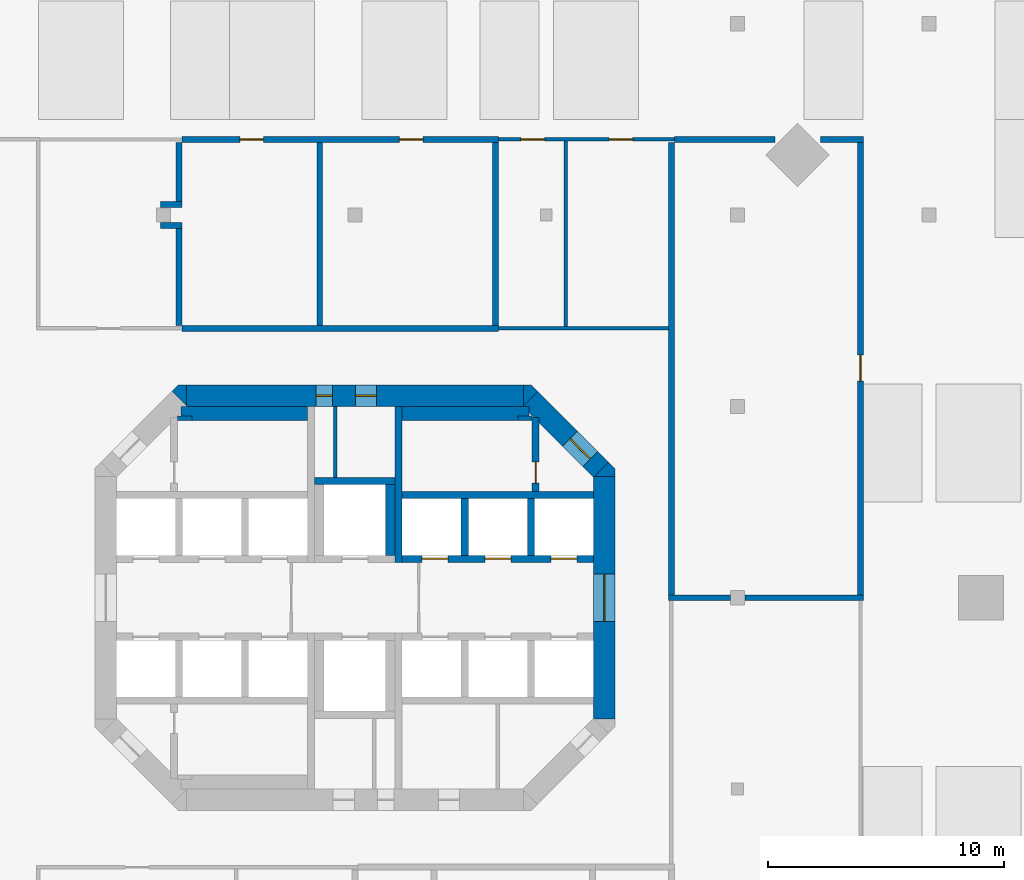
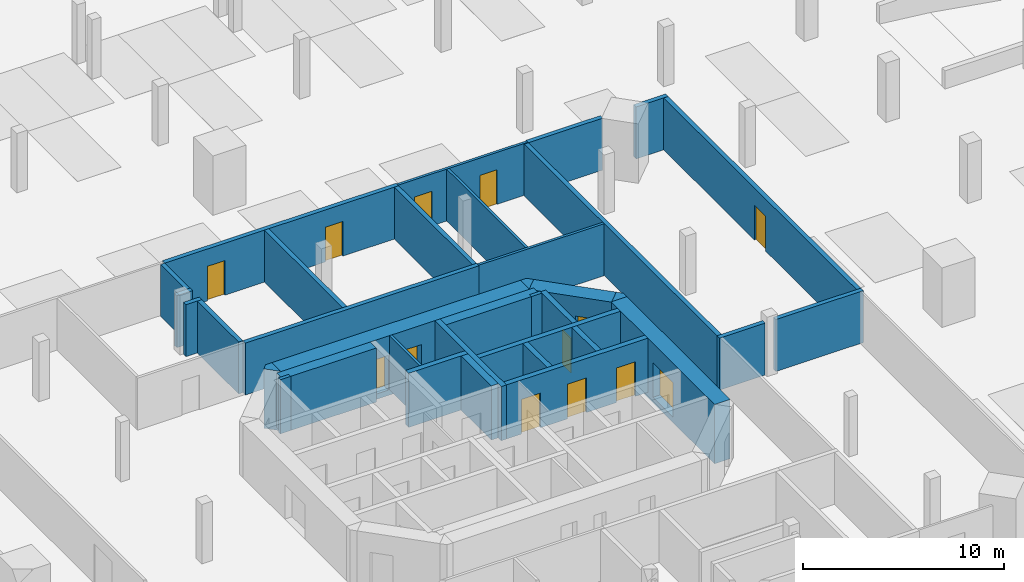
# One storey, part 9 of 14: 36 walls, 13 doors, 13 openings.
"""IFC4 building model written with IfcOpenShell, lengths in metres."""

from ifc_helpers import new_model, si_unit, direction, frame, frame_2d, origin, place, context, subcontext, project, spatial, polyline, rectangle, outline, extrude, material, layer, layer_set, type_object, element, fill, save


model = new_model("IFC4")

# Units and contexts
model_context = context("Model", 3, precision=1e-05, world=origin(), true_north=direction((0.0, 1.0)))
body_context = subcontext(model_context, "Body", "Model", "MODEL_VIEW")
ifc_project = project(units=[si_unit("LENGTHUNIT", "METRE"), si_unit("AREAUNIT", "SQUARE_METRE"), si_unit("VOLUMEUNIT", "CUBIC_METRE"), si_unit("PLANEANGLEUNIT", "RADIAN"), si_unit("MASSUNIT", "GRAM", prefix="KILO")], contexts=[model_context])

# Site, building, storey
site_placement = place(None, origin())
site = spatial("IfcSite", under=ifc_project, at=site_placement, CompositionType="ELEMENT")
building_placement = place(site_placement, origin())
building = spatial("IfcBuilding", under=site, at=building_placement, Name="Torre Triforio", CompositionType="ELEMENT")
storey_placement = place(building_placement, frame((0.0, 0.0, -3.60009765625)))
storey = spatial("IfcBuildingStorey", under=building, at=storey_placement, Name="B1", CompositionType="ELEMENT", Elevation=-3.60009765625)

# Wall
ifc_material_1 = material(Name="Concrete C60", Category="concrete")
ifc_layer_1 = layer(ifc_material_1, 0.300048828125)
ifc_layer_set_1 = layer_set([ifc_layer_1], Name="Concrete C60")
wall_type_1 = type_object("IfcWallType", Name="Core wall 300 mm C60 EI 120", PredefinedType="SHEAR", material=ifc_layer_set_1)
wall_1_placement = place(storey_placement, frame((1.85009765625, 1.5, 0.0), z_axis=(0.0, 0.0, 1.0), x_axis=(0.0, 1.0, 0.0)))
element("IfcWall", 1, at=wall_1_placement, inside=storey, type_object=wall_type_1, Name="Core wall", PredefinedType="SHEAR", context=body_context, shape_type="SweptSolid", body=[
    extrude(rectangle(XDim=6.60009765625, YDim=0.300048828125, at=frame_2d((3.300048828125, 0.0))), origin(), (0.0, 0.0, 1.0), 3.280029296875),
])

# Wall, openings, doors
ifc_layer_2 = layer(ifc_material_1, 0.89990234375)
ifc_layer_set_2 = layer_set([ifc_layer_2], Name="Concrete C60")
wall_type_2 = type_object("IfcWallType", Name="Core wall 900 mm C60 EI 120", PredefinedType="SHEAR", material=ifc_layer_set_2)
wall_2_placement = place(storey_placement, frame((-7.1298828125, 8.550048828125, -0.31982421875), z_axis=(0.0, 0.0, 1.0), x_axis=(1.0, 0.0, 0.0)))
wall_2 = element("IfcWall", 2, at=wall_2_placement, inside=storey, type_object=wall_type_2, Name="Core wall", PredefinedType="SHEAR", context=body_context, shape_type="SweptSolid", body=[
    extrude(rectangle(XDim=14.259765625, YDim=0.89990234375, at=frame_2d((7.1298828125, 0.0))), origin(), (0.0, 0.0, 1.0), 3.599853515625),
])
opening_1_placement = place(wall_2_placement, frame((5.47998046875, 0.0, 0.320068359375)))
opening_1 = element("IfcOpeningElement", 3, at=opening_1_placement, cuts=wall_2, Name="Opening RISER-N", PredefinedType="OPENING", context=body_context, shape_type="SweptSolid", body=[
    extrude(rectangle(XDim=0.699951171875, YDim=2.10009765625, at=frame_2d((0.35009765625, 1.050048828125))), frame((0.0, 0.4599609375, 0.0), z_axis=(0.0, -1.0, 0.0), x_axis=(1.0, 0.0, 0.0)), (0.0, 0.0, 1.0), 0.919921875),
])
opening_2_placement = place(wall_2_placement, frame((7.155029296875, 0.0, 0.320068359375)))
opening_2 = element("IfcOpeningElement", 4, at=opening_2_placement, cuts=wall_2, Name="Opening NE-01", PredefinedType="OPENING", context=body_context, shape_type="SweptSolid", body=[
    extrude(rectangle(XDim=0.89990234375, YDim=2.10009765625, at=frame_2d((0.449951171875, 1.050048828125))), frame((0.0, 0.4599609375, 0.0), z_axis=(0.0, -1.0, 0.0), x_axis=(1.0, 0.0, 0.0)), (0.0, 0.0, 1.0), 0.919921875),
])
ifc_material_2 = material(Name="Hollow metal fire door leaf")
door_type_1 = type_object("IfcDoorType", Name="Riser door 700 x 2100 EI 60", OperationType="NOTDEFINED", PredefinedType="DOOR", material=ifc_material_2)
door_1_placement = place(opening_1_placement, origin())
door_1 = element("IfcDoor", 5, at=door_1_placement, inside=storey, type_object=door_type_1, Name="Core door RISER-N", OperationType="SINGLE_SWING_LEFT", OverallHeight=2.10009765625, OverallWidth=0.699951171875, PredefinedType="DOOR", context=body_context, shape_type="SweptSolid", body=[
    extrude(rectangle(XDim=0.699951171875, YDim=2.10009765625, at=frame_2d((0.35009765625, 1.050048828125))), frame((0.0, 0.02490234375, 0.0), z_axis=(0.0, -1.0, 0.0), x_axis=(1.0, 0.0, 0.0)), (0.0, 0.0, 1.0), 0.050048828125),
])
fill(opening_1, door_1)
door_type_2 = type_object("IfcDoorType", Name="Room door 900 x 2100 EI 60", OperationType="NOTDEFINED", PredefinedType="DOOR", material=ifc_material_2)
door_2_placement = place(opening_2_placement, origin())
door_2 = element("IfcDoor", 6, at=door_2_placement, inside=storey, type_object=door_type_2, Name="Core door NE-01", OperationType="SINGLE_SWING_LEFT", OverallHeight=2.10009765625, OverallWidth=0.89990234375, PredefinedType="DOOR", context=body_context, shape_type="SweptSolid", body=[
    extrude(rectangle(XDim=0.89990234375, YDim=2.10009765625, at=frame_2d((0.449951171875, 1.050048828125))), frame((0.0, 0.02490234375, 0.0), z_axis=(0.0, -1.0, 0.0), x_axis=(1.0, 0.0, 0.0)), (0.0, 0.0, 1.0), 0.050048828125),
])
fill(opening_2, door_2)

# Wall, opening, door
wall_3_placement = place(storey_placement, frame((10.550048828125, -5.1298828125, -0.31982421875), z_axis=(0.0, 0.0, 1.0), x_axis=(0.0, 1.0, 0.0)))
wall_3 = element("IfcWall", 7, at=wall_3_placement, inside=storey, type_object=wall_type_2, Name="Core wall", PredefinedType="SHEAR", context=body_context, shape_type="SweptSolid", body=[
    extrude(rectangle(XDim=10.259765625, YDim=0.89990234375, at=frame_2d((5.1298828125, 0.0))), origin(), (0.0, 0.0, 1.0), 3.599853515625),
])
opening_3_placement = place(wall_3_placement, frame((4.1298828125, 0.0, 0.320068359375)))
opening_3 = element("IfcOpeningElement", 8, at=opening_3_placement, cuts=wall_3, Name="Opening E-RING", PredefinedType="OPENING", context=body_context, shape_type="SweptSolid", body=[
    extrude(rectangle(XDim=2.0, YDim=2.10009765625, at=frame_2d((1.0, 1.050048828125))), frame((0.0, 0.4599609375, 0.0), z_axis=(0.0, -1.0, 0.0), x_axis=(1.0, 0.0, 0.0)), (0.0, 0.0, 1.0), 0.919921875),
])
door_type_3 = type_object("IfcDoorType", Name="Lobby door 2000 x 2100 EI 60", OperationType="DOUBLE_DOOR_SINGLE_SWING", PredefinedType="DOOR", material=ifc_material_2)
door_3_placement = place(opening_3_placement, origin())
door_3 = element("IfcDoor", 9, at=door_3_placement, inside=storey, type_object=door_type_3, Name="Core door E-RING", OperationType="DOUBLE_DOOR_SINGLE_SWING", OverallHeight=2.10009765625, OverallWidth=2.0, PredefinedType="DOOR", context=body_context, shape_type="SweptSolid", body=[
    extrude(rectangle(XDim=2.0, YDim=2.10009765625, at=frame_2d((1.0, 1.050048828125))), frame((0.0, 0.02490234375, 0.0), z_axis=(0.0, -1.0, 0.0), x_axis=(1.0, 0.0, 0.0)), (0.0, 0.0, 1.0), 0.050048828125),
])
fill(opening_3, door_3)

wall_4_placement = place(storey_placement, frame((7.418212890625, 8.418212890625, -0.31982421875), z_axis=(0.0, 0.0, 1.0), x_axis=(0.707106781187, -0.707106781187, 0.0)))
wall_4 = element("IfcWall", 10, at=wall_4_placement, inside=storey, type_object=wall_type_2, Name="Core wall", PredefinedType="SHEAR", context=body_context, shape_type="SweptSolid", body=[
    extrude(rectangle(XDim=4.24267578125, YDim=0.89990234375, at=frame_2d((2.121337890625, 0.0))), origin(), (0.0, 0.0, 1.0), 3.599853515625),
])
opening_4_placement = place(wall_4_placement, frame((2.392578125, 0.0, 0.320068359375)))
opening_4 = element("IfcOpeningElement", 11, at=opening_4_placement, cuts=wall_4, Name="Opening ST2-EXIT", PredefinedType="OPENING", context=body_context, shape_type="SweptSolid", body=[
    extrude(rectangle(XDim=1.199951171875, YDim=2.10009765625, at=frame_2d((0.60009765625, 1.050048828125))), frame((0.0, 0.4599609375, 0.0), z_axis=(0.0, -1.0, 0.0), x_axis=(1.0, 0.0, 0.0)), (0.0, 0.0, 1.0), 0.919921875),
])
door_type_4 = type_object("IfcDoorType", Name="Stair lobby door 1200 x 2100 EI 60", OperationType="NOTDEFINED", PredefinedType="DOOR", material=ifc_material_2)
door_4_placement = place(opening_4_placement, origin())
door_4 = element("IfcDoor", 12, at=door_4_placement, inside=storey, type_object=door_type_4, Name="Core door ST2-EXIT", OperationType="SINGLE_SWING_LEFT", OverallHeight=2.10009765625, OverallWidth=1.199951171875, PredefinedType="DOOR", context=body_context, shape_type="SweptSolid", body=[
    extrude(rectangle(XDim=1.199951171875, YDim=2.10009765625, at=frame_2d((0.60009765625, 1.050048828125))), frame((0.0, 0.02490234375, 0.0), z_axis=(0.0, -1.0, 0.0), x_axis=(1.0, 0.0, 0.0)), (0.0, 0.0, 1.0), 0.050048828125),
])
fill(opening_4, door_4)

# Walls
wall_5_placement = place(storey_placement, frame((0.0, 0.0, -0.31982421875)))
element("IfcWall", 13, at=wall_5_placement, inside=storey, type_object=wall_type_2, Name="Core wall", PredefinedType="SHEAR", context=body_context, shape_type="SweptSolid", body=[
    extrude(outline(polyline([(11.0, 5.472900390625), (11.0, 5.1298828125), (10.1298828125, 5.1298828125), (10.736328125, 5.736328125), (11.0, 5.472900390625)])), origin(), (0.0, 0.0, 1.0), 3.599853515625),
])
wall_6_placement = place(storey_placement, frame((0.0, 0.0, -0.31982421875)))
element("IfcWall", 14, at=wall_6_placement, inside=storey, type_object=wall_type_2, Name="Core wall", PredefinedType="SHEAR", context=body_context, shape_type="SweptSolid", body=[
    extrude(outline(polyline([(-7.472900390625, 9.0), (-7.1298828125, 9.0), (-7.1298828125, 8.1298828125), (-7.736328125, 8.736328125), (-7.472900390625, 9.0)])), origin(), (0.0, 0.0, 1.0), 3.599853515625),
])
wall_7_placement = place(storey_placement, frame((0.0, 0.0, -0.31982421875)))
element("IfcWall", 15, at=wall_7_placement, inside=storey, type_object=wall_type_2, Name="Core wall", PredefinedType="SHEAR", context=body_context, shape_type="SweptSolid", body=[
    extrude(outline(polyline([(7.472900390625, 9.0), (7.736328125, 8.736328125), (7.1298828125, 8.1298828125), (7.1298828125, 9.0), (7.472900390625, 9.0)])), origin(), (0.0, 0.0, 1.0), 3.599853515625),
])
ifc_material_3 = material(Name="Block and board partition")
ifc_layer_3 = layer(ifc_material_3, 0.14990234375)
ifc_layer_set_3 = layer_set([ifc_layer_3], Name="Block and board partition")
wall_type_3 = type_object("IfcWallType", Name="Partition 150 mm EI 120", PredefinedType="PARTITIONING", material=ifc_layer_set_3)
wall_8_placement = place(storey_placement, frame((-0.824951171875, 5.10009765625, 0.0), z_axis=(0.0, 0.0, 1.0), x_axis=(0.0, 1.0, 0.0)))
element("IfcWall", 16, at=wall_8_placement, inside=storey, type_object=wall_type_3, Name="Partition", PredefinedType="PARTITIONING", context=body_context, shape_type="SweptSolid", body=[
    extrude(rectangle(XDim=3.0, YDim=0.14990234375, at=frame_2d((1.5, 0.0))), origin(), (0.0, 0.0, 1.0), 3.280029296875),
])
ifc_material_4 = material(Name="Masonry block", Category="masonry")
ifc_layer_4 = layer(ifc_material_4, 0.25)
ifc_layer_set_4 = layer_set([ifc_layer_4], Name="Masonry block")
wall_type_4 = type_object("IfcWallType", Name="Plant room wall 250 EI 120", PredefinedType="PARTITIONING", material=ifc_layer_set_4)
wall_9_placement = place(storey_placement, frame((13.27490234375, 0.0, 0.0), z_axis=(0.0, 0.0, 1.0), x_axis=(1.0, 0.0, 0.0)))
element("IfcWall", 17, at=wall_9_placement, inside=storey, type_object=wall_type_4, Name="Plant room wall B1 024", PredefinedType="PARTITIONING", context=body_context, shape_type="SweptSolid", body=[
    extrude(rectangle(XDim=2.614990234375, YDim=0.25, at=frame_2d((1.3076171875, 0.0))), origin(), (0.0, 0.0, 1.0), 3.150146484375),
])
wall_10_placement = place(storey_placement, frame((16.510009765625, 0.0, 0.0), z_axis=(0.0, 0.0, 1.0), x_axis=(1.0, 0.0, 0.0)))
element("IfcWall", 18, at=wall_10_placement, inside=storey, type_object=wall_type_4, Name="Plant room wall B1 025", PredefinedType="PARTITIONING", context=body_context, shape_type="SweptSolid", body=[
    extrude(rectangle(XDim=5.014892578125, YDim=0.25, at=frame_2d((2.50732421875, 0.0))), origin(), (0.0, 0.0, 1.0), 3.150146484375),
])
wall_11_placement = place(storey_placement, frame((13.52490234375, 19.39990234375, 0.0), z_axis=(0.0, 0.0, 1.0), x_axis=(1.0, 0.0, 0.0)))
element("IfcWall", 19, at=wall_11_placement, inside=storey, type_object=wall_type_4, Name="Plant room wall B1 031", PredefinedType="PARTITIONING", context=body_context, shape_type="SweptSolid", body=[
    extrude(rectangle(XDim=4.25341796875, YDim=0.25, at=frame_2d((2.126708984375, 0.0))), origin(), (0.0, 0.0, 1.0), 3.150146484375),
])
wall_12_placement = place(storey_placement, frame((19.6982421875, 19.39990234375, 0.0), z_axis=(0.0, 0.0, 1.0), x_axis=(1.0, 0.0, 0.0)))
element("IfcWall", 20, at=wall_12_placement, inside=storey, type_object=wall_type_4, Name="Plant room wall B1 032", PredefinedType="PARTITIONING", context=body_context, shape_type="SweptSolid", body=[
    extrude(rectangle(XDim=1.82666015625, YDim=0.25, at=frame_2d((0.913330078125, 0.0))), origin(), (0.0, 0.0, 1.0), 3.150146484375),
])

# Wall, opening, door
wall_13_placement = place(storey_placement, frame((21.39990234375, 0.125, 0.0), z_axis=(0.0, 0.0, 1.0), x_axis=(0.0, 1.0, 0.0)))
wall_13 = element("IfcWall", 21, at=wall_13_placement, inside=storey, type_object=wall_type_4, Name="Plant room wall B1 033", PredefinedType="PARTITIONING", context=body_context, shape_type="SweptSolid", body=[
    extrude(rectangle(XDim=19.14990234375, YDim=0.25, at=frame_2d((9.574951171875, 0.0))), origin(), (0.0, 0.0, 1.0), 3.150146484375),
])
opening_5_placement = place(wall_13_placement, frame((9.050048828125, 0.0, 0.0)))
opening_5 = element("IfcOpeningElement", 22, at=opening_5_placement, cuts=wall_13, Name="Opening BS1-16", PredefinedType="OPENING", context=body_context, shape_type="SweptSolid", body=[
    extrude(rectangle(XDim=1.10009765625, YDim=2.10009765625, at=frame_2d((0.550048828125, 1.050048828125))), frame((0.0, 0.135009765625, 0.0), z_axis=(0.0, -1.0, 0.0), x_axis=(1.0, 0.0, 0.0)), (0.0, 0.0, 1.0), 0.27001953125),
])
door_type_5 = type_object("IfcDoorType", Name="Plant room door 1100 x 2100 EI 60", OperationType="NOTDEFINED", PredefinedType="DOOR", material=ifc_material_2)
door_5_placement = place(opening_5_placement, origin())
door_5 = element("IfcDoor", 23, at=door_5_placement, inside=storey, type_object=door_type_5, Name="Door BS1-16", OperationType="SINGLE_SWING_LEFT", OverallHeight=2.10009765625, OverallWidth=1.10009765625, PredefinedType="DOOR", context=body_context, shape_type="SweptSolid", body=[
    extrude(rectangle(XDim=1.10009765625, YDim=2.10009765625, at=frame_2d((0.550048828125, 1.050048828125))), frame((0.0, 0.02490234375, 0.0), z_axis=(0.0, -1.0, 0.0), x_axis=(1.0, 0.0, 0.0)), (0.0, 0.0, 1.0), 0.050048828125),
])
fill(opening_5, door_5)

# Walls
wall_14_placement = place(storey_placement, frame((13.39990234375, 0.125, 0.0), z_axis=(0.0, 0.0, 1.0), x_axis=(0.0, 1.0, 0.0)))
element("IfcWall", 24, at=wall_14_placement, inside=storey, type_object=wall_type_4, Name="Plant room wall B1 034", PredefinedType="PARTITIONING", context=body_context, shape_type="SweptSolid", body=[
    extrude(rectangle(XDim=19.14990234375, YDim=0.25, at=frame_2d((9.574951171875, 0.0))), origin(), (0.0, 0.0, 1.0), 3.150146484375),
])
for number, where, z_axis, x_axis, name in (
    (25, (-8.22509765625, 15.75, 0.0), (0.0, 0.0, 1.0), (1.0, 0.0, 0.0), "Plant room wall B1 035"),
    (26, (-8.22509765625, 16.64990234375, 0.0), (0.0, 0.0, 1.0), (1.0, 0.0, 0.0), "Plant room wall B1 036"),
):
    element("IfcWall", number, at=place(storey_placement, frame(where, z_axis=z_axis, x_axis=x_axis)), inside=storey, type_object=wall_type_4, Name=name, PredefinedType="PARTITIONING", context=body_context, shape_type="SweptSolid", body=[
        extrude(rectangle(XDim=0.90576171875, YDim=0.25, at=frame_2d((0.452880859375, 0.0))), origin(), (0.0, 0.0, 1.0), 3.150146484375),
    ])
wall_15_placement = place(storey_placement, frame((-7.4443359375, 11.52490234375, 0.0), z_axis=(0.0, 0.0, 1.0), x_axis=(0.0, 1.0, 0.0)))
element("IfcWall", 27, at=wall_15_placement, inside=storey, type_object=wall_type_4, Name="Plant room wall B1 037", PredefinedType="PARTITIONING", context=body_context, shape_type="SweptSolid", body=[
    extrude(rectangle(XDim=4.10009765625, YDim=0.25, at=frame_2d((2.050048828125, 0.0))), origin(), (0.0, 0.0, 1.0), 3.150146484375),
])
wall_16_placement = place(storey_placement, frame((-7.4443359375, 16.77490234375, 0.0), z_axis=(0.0, 0.0, 1.0), x_axis=(0.0, 1.0, 0.0)))
element("IfcWall", 28, at=wall_16_placement, inside=storey, type_object=wall_type_4, Name="Plant room wall B1 038", PredefinedType="PARTITIONING", context=body_context, shape_type="SweptSolid", body=[
    extrude(rectangle(XDim=2.5, YDim=0.25, at=frame_2d((1.25, 0.0))), origin(), (0.0, 0.0, 1.0), 3.150146484375),
])
wall_17_placement = place(storey_placement, frame((-1.489013671875, 11.52490234375, 0.0), z_axis=(0.0, 0.0, 1.0), x_axis=(0.0, 1.0, 0.0)))
element("IfcWall", 29, at=wall_17_placement, inside=storey, type_object=wall_type_4, Name="Plant room wall B1 041", PredefinedType="PARTITIONING", context=body_context, shape_type="SweptSolid", body=[
    extrude(rectangle(XDim=7.75, YDim=0.25, at=frame_2d((3.875, 0.0))), origin(), (0.0, 0.0, 1.0), 3.150146484375),
])

# Wall, openings, doors
wall_18_placement = place(storey_placement, frame((-7.3193359375, 19.39990234375, 0.0), z_axis=(0.0, 0.0, 1.0), x_axis=(1.0, 0.0, 0.0)))
wall_18 = element("IfcWall", 30, at=wall_18_placement, inside=storey, type_object=wall_type_4, Name="Plant room wall B1 042", PredefinedType="PARTITIONING", context=body_context, shape_type="SweptSolid", body=[
    extrude(rectangle(XDim=13.39990234375, YDim=0.25, at=frame_2d((6.699951171875, 0.0))), origin(), (0.0, 0.0, 1.0), 3.150146484375),
])
opening_6_placement = place(wall_18_placement, frame((2.449951171875, 0.0, 0.0)))
opening_6 = element("IfcOpeningElement", 31, at=opening_6_placement, cuts=wall_18, Name="Opening BS1-06", PredefinedType="OPENING", context=body_context, shape_type="SweptSolid", body=[
    extrude(rectangle(XDim=1.0, YDim=2.10009765625, at=frame_2d((0.5, 1.050048828125))), frame((0.0, 0.135009765625, 0.0), z_axis=(0.0, -1.0, 0.0), x_axis=(1.0, 0.0, 0.0)), (0.0, 0.0, 1.0), 0.27001953125),
])
opening_7_placement = place(wall_18_placement, frame((9.20556640625, 0.0, 0.0)))
opening_7 = element("IfcOpeningElement", 32, at=opening_7_placement, cuts=wall_18, Name="Opening BS1-07", PredefinedType="OPENING", context=body_context, shape_type="SweptSolid", body=[
    extrude(rectangle(XDim=1.0, YDim=2.10009765625, at=frame_2d((0.5, 1.050048828125))), frame((0.0, 0.135009765625, 0.0), z_axis=(0.0, -1.0, 0.0), x_axis=(1.0, 0.0, 0.0)), (0.0, 0.0, 1.0), 0.27001953125),
])
door_type_6 = type_object("IfcDoorType", Name="Fire door 1000 x 2100 EI 60", OperationType="NOTDEFINED", PredefinedType="DOOR", material=ifc_material_2)
door_6_placement = place(opening_6_placement, origin())
door_6 = element("IfcDoor", 33, at=door_6_placement, inside=storey, type_object=door_type_6, Name="Door BS1-06", OperationType="SINGLE_SWING_LEFT", OverallHeight=2.10009765625, OverallWidth=1.0, PredefinedType="DOOR", context=body_context, shape_type="SweptSolid", body=[
    extrude(rectangle(XDim=1.0, YDim=2.10009765625, at=frame_2d((0.5, 1.050048828125))), frame((0.0, 0.02490234375, 0.0), z_axis=(0.0, -1.0, 0.0), x_axis=(1.0, 0.0, 0.0)), (0.0, 0.0, 1.0), 0.050048828125),
])
fill(opening_6, door_6)
door_7_placement = place(opening_7_placement, origin())
door_7 = element("IfcDoor", 34, at=door_7_placement, inside=storey, type_object=door_type_6, Name="Door BS1-07", OperationType="SINGLE_SWING_LEFT", OverallHeight=2.10009765625, OverallWidth=1.0, PredefinedType="DOOR", context=body_context, shape_type="SweptSolid", body=[
    extrude(rectangle(XDim=1.0, YDim=2.10009765625, at=frame_2d((0.5, 1.050048828125))), frame((0.0, 0.02490234375, 0.0), z_axis=(0.0, -1.0, 0.0), x_axis=(1.0, 0.0, 0.0)), (0.0, 0.0, 1.0), 0.050048828125),
])
fill(opening_7, door_7)

# Walls
wall_19_placement = place(storey_placement, frame((-7.3193359375, 11.39990234375, 0.0), z_axis=(0.0, 0.0, 1.0), x_axis=(1.0, 0.0, 0.0)))
element("IfcWall", 35, at=wall_19_placement, inside=storey, type_object=wall_type_4, Name="Plant room wall B1 043", PredefinedType="PARTITIONING", context=body_context, shape_type="SweptSolid", body=[
    extrude(rectangle(XDim=13.39990234375, YDim=0.25, at=frame_2d((6.699951171875, 0.0))), origin(), (0.0, 0.0, 1.0), 3.150146484375),
])
wall_20_placement = place(storey_placement, frame((5.95556640625, 11.52490234375, 0.0), z_axis=(0.0, 0.0, 1.0), x_axis=(0.0, 1.0, 0.0)))
element("IfcWall", 36, at=wall_20_placement, inside=storey, type_object=wall_type_4, Name="Plant room wall B1 044", PredefinedType="PARTITIONING", context=body_context, shape_type="SweptSolid", body=[
    extrude(rectangle(XDim=7.75, YDim=0.25, at=frame_2d((3.875, 0.0))), origin(), (0.0, 0.0, 1.0), 3.150146484375),
])
ifc_layer_5 = layer(ifc_material_1, 0.300048828125)
ifc_layer_set_5 = layer_set([ifc_layer_5], Name="Concrete C60")
wall_type_5 = type_object("IfcWallType", Name="Shaft wall 300 mm C60 EI 120", PredefinedType="SOLIDWALL", material=ifc_layer_set_5)
wall_21_placement = place(storey_placement, frame((2.0, 4.35009765625, 0.0), z_axis=(0.0, 0.0, 1.0), x_axis=(1.0, 0.0, 0.0)))
element("IfcWall", 37, at=wall_21_placement, inside=storey, type_object=wall_type_5, Name="Shaft wall", PredefinedType="SOLIDWALL", context=body_context, shape_type="SweptSolid", body=[
    extrude(rectangle(XDim=8.10009765625, YDim=0.300048828125, at=frame_2d((4.050048828125, 0.0))), origin(), (0.0, 0.0, 1.0), 3.280029296875),
])

# Wall, openings, doors
wall_22_placement = place(storey_placement, frame((2.0, 1.64990234375, 0.0), z_axis=(0.0, 0.0, 1.0), x_axis=(1.0, 0.0, 0.0)))
wall_22 = element("IfcWall", 38, at=wall_22_placement, inside=storey, type_object=wall_type_5, Name="Shaft wall", PredefinedType="SOLIDWALL", context=body_context, shape_type="SweptSolid", body=[
    extrude(rectangle(XDim=8.10009765625, YDim=0.300048828125, at=frame_2d((4.050048828125, 0.0))), origin(), (0.0, 0.0, 1.0), 3.280029296875),
])
opening_8_placement = place(wall_22_placement, frame((0.85009765625, 0.0, 0.0)))
opening_8 = element("IfcOpeningElement", 39, at=opening_8_placement, cuts=wall_22, Name="Opening LD", PredefinedType="OPENING", context=body_context, shape_type="SweptSolid", body=[
    extrude(rectangle(XDim=1.10009765625, YDim=2.10009765625, at=frame_2d((0.550048828125, 1.050048828125))), frame((0.0, 0.159912109375, 0.0), z_axis=(0.0, -1.0, 0.0), x_axis=(1.0, 0.0, 0.0)), (0.0, 0.0, 1.0), 0.320068359375),
])
opening_9_placement = place(wall_22_placement, frame((3.5, 0.0, 0.0)))
opening_9 = element("IfcOpeningElement", 40, at=opening_9_placement, cuts=wall_22, Name="Opening LD", PredefinedType="OPENING", context=body_context, shape_type="SweptSolid", body=[
    extrude(rectangle(XDim=1.10009765625, YDim=2.10009765625, at=frame_2d((0.550048828125, 1.050048828125))), frame((0.0, 0.159912109375, 0.0), z_axis=(0.0, -1.0, 0.0), x_axis=(1.0, 0.0, 0.0)), (0.0, 0.0, 1.0), 0.320068359375),
])
opening_10_placement = place(wall_22_placement, frame((6.300048828125, 0.0, 0.0)))
opening_10 = element("IfcOpeningElement", 41, at=opening_10_placement, cuts=wall_22, Name="Opening LD", PredefinedType="OPENING", context=body_context, shape_type="SweptSolid", body=[
    extrude(rectangle(XDim=1.10009765625, YDim=2.10009765625, at=frame_2d((0.550048828125, 1.050048828125))), frame((0.0, 0.159912109375, 0.0), z_axis=(0.0, -1.0, 0.0), x_axis=(1.0, 0.0, 0.0)), (0.0, 0.0, 1.0), 0.320068359375),
])
door_type_7 = type_object("IfcDoorType", Name="Landing door 1100 x 2100 EI 60", OperationType="DOUBLE_DOOR_SLIDING", PredefinedType="DOOR", material=ifc_material_2)
door_8_placement = place(opening_8_placement, origin())
door_8 = element("IfcDoor", 42, at=door_8_placement, inside=storey, type_object=door_type_7, Name="Landing door HR1", OperationType="DOUBLE_DOOR_SLIDING", OverallHeight=2.10009765625, OverallWidth=1.10009765625, PredefinedType="DOOR", context=body_context, shape_type="SweptSolid", body=[
    extrude(rectangle(XDim=1.10009765625, YDim=2.10009765625, at=frame_2d((0.550048828125, 1.050048828125))), frame((0.0, 0.02490234375, 0.0), z_axis=(0.0, -1.0, 0.0), x_axis=(1.0, 0.0, 0.0)), (0.0, 0.0, 1.0), 0.050048828125),
])
fill(opening_8, door_8)
door_9_placement = place(opening_9_placement, origin())
door_9 = element("IfcDoor", 43, at=door_9_placement, inside=storey, type_object=door_type_7, Name="Landing door HR2", OperationType="DOUBLE_DOOR_SLIDING", OverallHeight=2.10009765625, OverallWidth=1.10009765625, PredefinedType="DOOR", context=body_context, shape_type="SweptSolid", body=[
    extrude(rectangle(XDim=1.10009765625, YDim=2.10009765625, at=frame_2d((0.550048828125, 1.050048828125))), frame((0.0, 0.02490234375, 0.0), z_axis=(0.0, -1.0, 0.0), x_axis=(1.0, 0.0, 0.0)), (0.0, 0.0, 1.0), 0.050048828125),
])
fill(opening_9, door_9)
door_10_placement = place(opening_10_placement, origin())
door_10 = element("IfcDoor", 44, at=door_10_placement, inside=storey, type_object=door_type_7, Name="Landing door HR3", OperationType="DOUBLE_DOOR_SLIDING", OverallHeight=2.10009765625, OverallWidth=1.10009765625, PredefinedType="DOOR", context=body_context, shape_type="SweptSolid", body=[
    extrude(rectangle(XDim=1.10009765625, YDim=2.10009765625, at=frame_2d((0.550048828125, 1.050048828125))), frame((0.0, 0.02490234375, 0.0), z_axis=(0.0, -1.0, 0.0), x_axis=(1.0, 0.0, 0.0)), (0.0, 0.0, 1.0), 0.050048828125),
])
fill(opening_10, door_10)

# Walls
for number, where, z_axis, x_axis, name in (
    (45, (4.64990234375, 1.800048828125, 0.0), (0.0, 0.0, 1.0), (0.0, 1.0, 0.0), "Shaft wall"),
    (46, (7.449951171875, 1.800048828125, 0.0), (0.0, 0.0, 1.0), (0.0, 1.0, 0.0), "Shaft wall"),
):
    element("IfcWall", number, at=place(storey_placement, frame(where, z_axis=z_axis, x_axis=x_axis)), inside=storey, type_object=wall_type_5, Name=name, PredefinedType="SOLIDWALL", context=body_context, shape_type="SweptSolid", body=[
        extrude(rectangle(XDim=2.39990234375, YDim=0.300048828125, at=frame_2d((1.199951171875, 0.0))), origin(), (0.0, 0.0, 1.0), 3.280029296875),
    ])
wall_23_placement = place(storey_placement, frame((-1.699951171875, 4.949951171875, 0.0), z_axis=(0.0, 0.0, 1.0), x_axis=(1.0, 0.0, 0.0)))
element("IfcWall", 47, at=wall_23_placement, inside=storey, type_object=wall_type_5, Name="Shaft wall", PredefinedType="SOLIDWALL", context=body_context, shape_type="SweptSolid", body=[
    extrude(rectangle(XDim=3.39990234375, YDim=0.300048828125, at=frame_2d((1.699951171875, 0.0))), origin(), (0.0, 0.0, 1.0), 3.280029296875),
])
ifc_layer_6 = layer(ifc_material_1, 0.39990234375)
ifc_layer_set_6 = layer_set([ifc_layer_6], Name="Concrete C60")
wall_type_6 = type_object("IfcWallType", Name="Shaft wall 400 mm C60 EI 120", PredefinedType="SOLIDWALL", material=ifc_layer_set_6)
wall_24_placement = place(storey_placement, frame((1.5, 1.800048828125, 0.0), z_axis=(0.0, 0.0, 1.0), x_axis=(0.0, 1.0, 0.0)))
element("IfcWall", 48, at=wall_24_placement, inside=storey, type_object=wall_type_6, Name="Shaft wall", PredefinedType="SOLIDWALL", context=body_context, shape_type="SweptSolid", body=[
    extrude(rectangle(XDim=3.0, YDim=0.39990234375, at=frame_2d((1.5, 0.0))), origin(), (0.0, 0.0, 1.0), 3.280029296875),
])
ifc_layer_7 = layer(ifc_material_1, 0.199951171875)
ifc_layer_set_7 = layer_set([ifc_layer_7], Name="Concrete C60")
wall_type_7 = type_object("IfcWallType", Name="Stair wall 200 mm C60 EI 120", PredefinedType="SHEAR", material=ifc_layer_set_7)
for number, where, z_axis, x_axis, name in (
    (49, (-7.5, 7.60009765625, 0.0), (0.0, 0.0, 1.0), (1.0, 0.0, 0.0), "Stair wall"),
    (50, (6.89990234375, 7.60009765625, 0.0), (0.0, 0.0, 1.0), (1.0, 0.0, 0.0), "Stair wall"),
):
    element("IfcWall", number, at=place(storey_placement, frame(where, z_axis=z_axis, x_axis=x_axis)), inside=storey, type_object=wall_type_7, Name=name, PredefinedType="SHEAR", context=body_context, shape_type="SweptSolid", body=[
        extrude(rectangle(XDim=0.60009765625, YDim=0.199951171875, at=frame_2d((0.300048828125, 0.0))), origin(), (0.0, 0.0, 1.0), 3.280029296875),
    ])

# Wall, opening, door
ifc_layer_8 = layer(ifc_material_1, 0.300048828125)
ifc_layer_set_8 = layer_set([ifc_layer_8], Name="Concrete C60")
wall_type_8 = type_object("IfcWallType", Name="Stair wall 300 mm C60 EI 120", PredefinedType="SHEAR", material=ifc_layer_set_8)
wall_25_placement = place(storey_placement, frame((7.64990234375, 4.5, 0.0), z_axis=(0.0, 0.0, 1.0), x_axis=(0.0, 1.0, 0.0)))
wall_25 = element("IfcWall", 51, at=wall_25_placement, inside=storey, type_object=wall_type_8, Name="Stair wall", PredefinedType="SHEAR", context=body_context, shape_type="SweptSolid", body=[
    extrude(rectangle(XDim=3.139892578125, YDim=0.300048828125, at=frame_2d((1.56982421875, 0.0))), origin(), (0.0, 0.0, 1.0), 3.280029296875),
])
opening_11_placement = place(wall_25_placement, frame((0.35009765625, 0.0, 0.0)))
opening_11 = element("IfcOpeningElement", 52, at=opening_11_placement, cuts=wall_25, Name="Opening ST2-ST", PredefinedType="OPENING", context=body_context, shape_type="SweptSolid", body=[
    extrude(rectangle(XDim=0.89990234375, YDim=2.10009765625, at=frame_2d((0.449951171875, 1.050048828125))), frame((0.0, 0.159912109375, 0.0), z_axis=(0.0, -1.0, 0.0), x_axis=(1.0, 0.0, 0.0)), (0.0, 0.0, 1.0), 0.320068359375),
])
door_type_8 = type_object("IfcDoorType", Name="Fan room door 900 x 2100 EI 60", OperationType="NOTDEFINED", PredefinedType="DOOR", material=ifc_material_2)
door_11_placement = place(opening_11_placement, origin())
door_11 = element("IfcDoor", 53, at=door_11_placement, inside=storey, type_object=door_type_8, Name="Core door ST2-ST", OperationType="SINGLE_SWING_RIGHT", OverallHeight=2.10009765625, OverallWidth=0.89990234375, PredefinedType="DOOR", context=body_context, shape_type="SweptSolid", body=[
    extrude(rectangle(XDim=0.89990234375, YDim=2.10009765625, at=frame_2d((0.449951171875, 1.050048828125))), frame((0.0, 0.02490234375, 0.0), z_axis=(0.0, -1.0, 0.0), x_axis=(1.0, 0.0, 0.0)), (0.0, 0.0, 1.0), 0.050048828125),
])
fill(opening_11, door_11)

# Walls
ifc_layer_9 = layer(ifc_material_1, 0.60009765625)
ifc_layer_set_9 = layer_set([ifc_layer_9], Name="Concrete C60")
wall_type_9 = type_object("IfcWallType", Name="Stair wall 600 mm C60 EI 120", PredefinedType="SHEAR", material=ifc_layer_set_9)
for number, where, z_axis, x_axis, name in (
    (54, (-7.3701171875, 7.800048828125, 0.0), (0.0, 0.0, 1.0), (1.0, 0.0, 0.0), "Stair wall"),
    (55, (2.0, 7.800048828125, 0.0), (0.0, 0.0, 1.0), (1.0, 0.0, 0.0), "Stair wall"),
):
    element("IfcWall", number, at=place(storey_placement, frame(where, z_axis=z_axis, x_axis=x_axis)), inside=storey, type_object=wall_type_9, Name=name, PredefinedType="SHEAR", context=body_context, shape_type="SweptSolid", body=[
        extrude(rectangle(XDim=5.3701171875, YDim=0.60009765625, at=frame_2d((2.68505859375, 0.0))), origin(), (0.0, 0.0, 1.0), 3.280029296875),
    ])
ifc_material_5 = material(Name="Plasterboard on metal studs")
ifc_layer_10 = layer(ifc_material_5, 0.14990234375)
ifc_layer_set_10 = layer_set([ifc_layer_10], Name="Plasterboard on metal studs")
wall_type_10 = type_object("IfcWallType", Name="Wet room wall 150", PredefinedType="PARTITIONING", material=ifc_layer_set_10)
wall_26_placement = place(storey_placement, frame((8.933349609375, 11.47509765625, 0.0), z_axis=(0.0, 0.0, 1.0), x_axis=(0.0, 1.0, 0.0)))
element("IfcWall", 56, at=wall_26_placement, inside=storey, type_object=wall_type_10, Name="Wet room wall B1 045", PredefinedType="PARTITIONING", context=body_context, shape_type="SweptSolid", body=[
    extrude(rectangle(XDim=7.849853515625, YDim=0.14990234375, at=frame_2d((3.9248046875, 0.0))), origin(), (0.0, 0.0, 1.0), 3.150146484375),
])

# Wall, openings, doors
wall_27_placement = place(storey_placement, frame((6.08056640625, 19.39990234375, 0.0), z_axis=(0.0, 0.0, 1.0), x_axis=(1.0, 0.0, 0.0)))
wall_27 = element("IfcWall", 57, at=wall_27_placement, inside=storey, type_object=wall_type_10, Name="Wet room wall B1 046", PredefinedType="PARTITIONING", context=body_context, shape_type="SweptSolid", body=[
    extrude(rectangle(XDim=7.4443359375, YDim=0.14990234375, at=frame_2d((3.72216796875, 0.0))), origin(), (0.0, 0.0, 1.0), 3.150146484375),
])
opening_12_placement = place(wall_27_placement, frame((0.949951171875, 0.0, 0.0)))
opening_12 = element("IfcOpeningElement", 58, at=opening_12_placement, cuts=wall_27, Name="Opening BS1-08", PredefinedType="OPENING", context=body_context, shape_type="SweptSolid", body=[
    extrude(rectangle(XDim=1.0, YDim=2.10009765625, at=frame_2d((0.5, 1.050048828125))), frame((0.0, 0.0849609375, 0.0), z_axis=(0.0, -1.0, 0.0), x_axis=(1.0, 0.0, 0.0)), (0.0, 0.0, 1.0), 0.169921875),
])
opening_13_placement = place(wall_27_placement, frame((4.677734375, 0.0, 0.0)))
opening_13 = element("IfcOpeningElement", 59, at=opening_13_placement, cuts=wall_27, Name="Opening BS1-09", PredefinedType="OPENING", context=body_context, shape_type="SweptSolid", body=[
    extrude(rectangle(XDim=1.0, YDim=2.10009765625, at=frame_2d((0.5, 1.050048828125))), frame((0.0, 0.0849609375, 0.0), z_axis=(0.0, -1.0, 0.0), x_axis=(1.0, 0.0, 0.0)), (0.0, 0.0, 1.0), 0.169921875),
])
ifc_material_6 = material(Name="Timber door leaf", Category="wood")
door_type_9 = type_object("IfcDoorType", Name="Single door 1000 x 2100", OperationType="NOTDEFINED", PredefinedType="DOOR", material=ifc_material_6)
door_12_placement = place(opening_12_placement, origin())
door_12 = element("IfcDoor", 60, at=door_12_placement, inside=storey, type_object=door_type_9, Name="Door BS1-08", OperationType="SINGLE_SWING_LEFT", OverallHeight=2.10009765625, OverallWidth=1.0, PredefinedType="DOOR", context=body_context, shape_type="SweptSolid", body=[
    extrude(rectangle(XDim=1.0, YDim=2.10009765625, at=frame_2d((0.5, 1.050048828125))), frame((0.0, 0.02490234375, 0.0), z_axis=(0.0, -1.0, 0.0), x_axis=(1.0, 0.0, 0.0)), (0.0, 0.0, 1.0), 0.050048828125),
])
fill(opening_12, door_12)
door_13_placement = place(opening_13_placement, origin())
door_13 = element("IfcDoor", 61, at=door_13_placement, inside=storey, type_object=door_type_9, Name="Door BS1-09", OperationType="SINGLE_SWING_LEFT", OverallHeight=2.10009765625, OverallWidth=1.0, PredefinedType="DOOR", context=body_context, shape_type="SweptSolid", body=[
    extrude(rectangle(XDim=1.0, YDim=2.10009765625, at=frame_2d((0.5, 1.050048828125))), frame((0.0, 0.02490234375, 0.0), z_axis=(0.0, -1.0, 0.0), x_axis=(1.0, 0.0, 0.0)), (0.0, 0.0, 1.0), 0.050048828125),
])
fill(opening_13, door_13)

# Wall
wall_28_placement = place(storey_placement, frame((6.08056640625, 11.39990234375, 0.0), z_axis=(0.0, 0.0, 1.0), x_axis=(1.0, 0.0, 0.0)))
element("IfcWall", 62, at=wall_28_placement, inside=storey, type_object=wall_type_10, Name="Wet room wall B1 047", PredefinedType="PARTITIONING", context=body_context, shape_type="SweptSolid", body=[
    extrude(rectangle(XDim=7.1943359375, YDim=0.14990234375, at=frame_2d((3.59716796875, 0.0))), origin(), (0.0, 0.0, 1.0), 3.150146484375),
])

save(model, "model.ifc")
